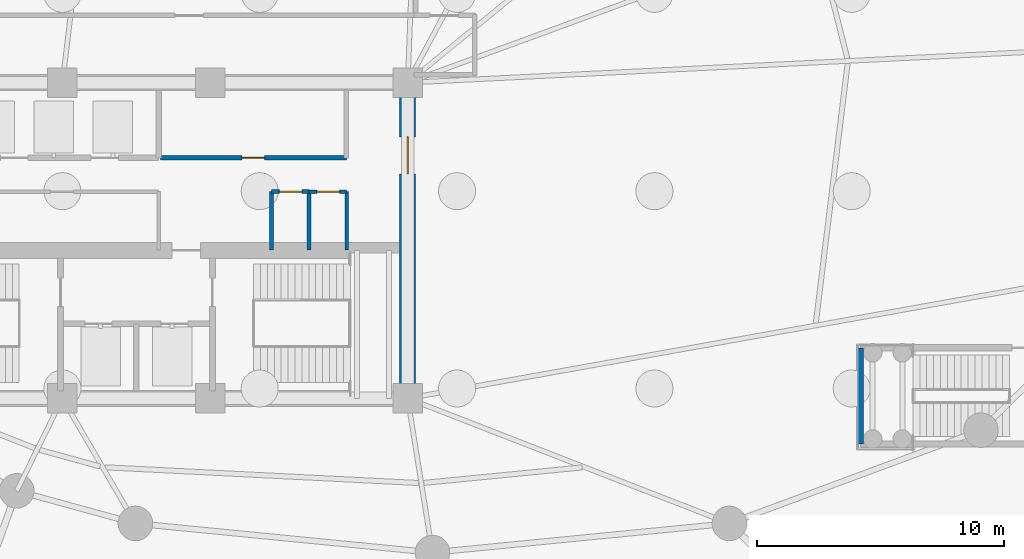
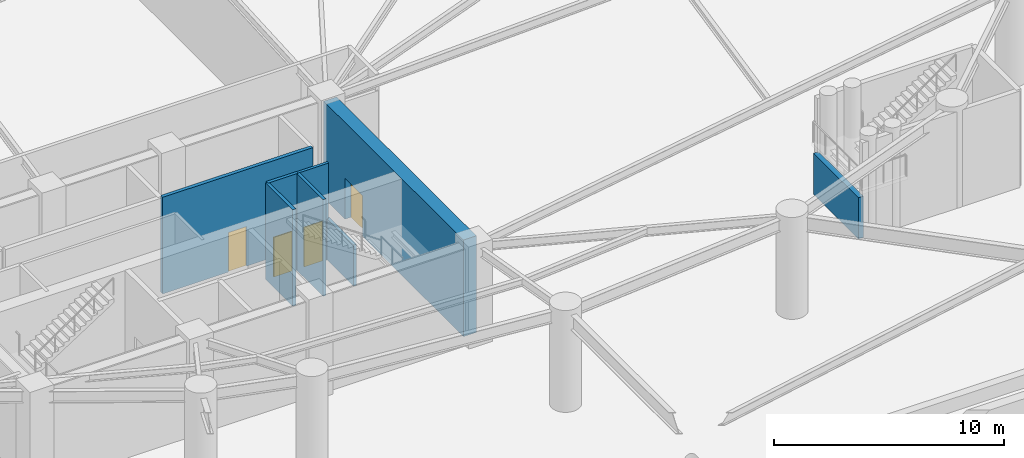
# One storey, part 9 of 22: 8 walls, 4 doors, 4 openings.
"""IFC4 building model written with IfcOpenShell, lengths in metres."""

from ifc_helpers import new_model, si_unit, direction, frame, frame_2d, origin, place, context, subcontext, project, spatial, rectangle, extrude, material, layer, layer_set, type_object, element, fill, save


model = new_model("IFC4")

# Units and contexts
model_context = context("Model", 3, precision=1e-05, world=origin(), true_north=direction((0.0, 1.0)))
body_context = subcontext(model_context, "Body", "Model", "MODEL_VIEW")
ifc_project = project(units=[si_unit("LENGTHUNIT", "METRE"), si_unit("AREAUNIT", "SQUARE_METRE"), si_unit("VOLUMEUNIT", "CUBIC_METRE"), si_unit("PLANEANGLEUNIT", "RADIAN"), si_unit("MASSUNIT", "GRAM", prefix="KILO")], contexts=[model_context])

# Site, building, storey
site_placement = place(None, origin())
site = spatial("IfcSite", under=ifc_project, at=site_placement, CompositionType="ELEMENT")
building_placement = place(site_placement, origin())
building = spatial("IfcBuilding", under=site, at=building_placement, Name="Kazevale Care Tower and Concert Hall", CompositionType="ELEMENT")
storey_placement = place(building_placement, frame((0.0, 0.0, -5.39990234375)))
storey = spatial("IfcBuildingStorey", under=building, at=storey_placement, Name="B1", CompositionType="ELEMENT", Elevation=-5.39990234375)

# Wall
ifc_material_1 = material(Name="Acoustic Gypsum on Steel Stud", Category="steel")
ifc_layer_1 = layer(ifc_material_1, 0.139892578125)
ifc_layer_set_1 = layer_set([ifc_layer_1], Name="Acoustic Gypsum on Steel Stud")
wall_type_1 = type_object("IfcWallType", Name="Acoustic Care & Suite Partition 140", PredefinedType="PARTITIONING", material=ifc_layer_set_1)
wall_1_placement = place(storey_placement, frame((41.52001953125, 29.6201171875, 0.0), z_axis=(0.0, 0.0, 1.0), x_axis=(0.0, 1.0, 0.0)))
element("IfcWall", 1, at=wall_1_placement, inside=storey, type_object=wall_type_1, Name="wall:B1:ka_ee", PredefinedType="PARTITIONING", context=body_context, shape_type="SweptSolid", body=[
    extrude(rectangle(XDim=2.35986328125, YDim=0.139892578125, at=frame_2d((1.179931640625, 0.0))), origin(), (0.0, 0.0, 1.0), 2.18701171875),
])

# Wall, opening, door
wall_2_placement = place(storey_placement, frame((40.0, 31.97998046875, 0.0), z_axis=(0.0, 0.0, 1.0), x_axis=(1.0, 0.0, 0.0)))
wall_2 = element("IfcWall", 2, at=wall_2_placement, inside=storey, type_object=wall_type_1, Name="wall:B1:ka_en2", PredefinedType="PARTITIONING", context=body_context, shape_type="SweptSolid", body=[
    extrude(rectangle(XDim=1.52001953125, YDim=0.139892578125, at=frame_2d((0.760009765625, 0.0))), origin(), (0.0, 0.0, 1.0), 5.119873046875),
])
opening_1_placement = place(wall_2_placement, frame((0.320068359375, 0.0, 0.0)))
opening_1 = element("IfcOpeningElement", 3, at=opening_1_placement, cuts=wall_2, Name="Opening ID-900", PredefinedType="OPENING", context=body_context, shape_type="SweptSolid", body=[
    extrude(rectangle(XDim=0.919921875, YDim=2.10009765625, at=frame_2d((0.4599609375, 1.050048828125))), frame((0.0, 0.079833984375, 0.0), z_axis=(0.0, -1.0, 0.0), x_axis=(1.0, 0.0, 0.0)), (0.0, 0.0, 1.0), 0.159912109375),
])
ifc_material_2 = material(Name="Oak Timber Fire Leaf", Category="wood")
door_type_1 = type_object("IfcDoorType", Name="Bathroom & Service Door 920x2100", OperationType="NOTDEFINED", PredefinedType="DOOR", material=ifc_material_2)
door_1_placement = place(opening_1_placement, origin())
door_1 = element("IfcDoor", 4, at=door_1_placement, inside=storey, type_object=door_type_1, Name="door:B1:d_kae2", OperationType="SINGLE_SWING_RIGHT", OverallHeight=2.10009765625, OverallWidth=0.919921875, PredefinedType="DOOR", context=body_context, shape_type="SweptSolid", body=[
    extrude(rectangle(XDim=0.919921875, YDim=2.10009765625, at=frame_2d((0.4599609375, 1.050048828125))), frame((0.0, 0.02490234375, 0.0), z_axis=(0.0, -1.0, 0.0), x_axis=(1.0, 0.0, 0.0)), (0.0, 0.0, 1.0), 0.050048828125),
])
fill(opening_1, door_1)

ifc_material_3 = material(Name="Concrete C70", Category="concrete")
ifc_layer_2 = layer(ifc_material_3, 0.64990234375)
ifc_layer_set_2 = layer_set([ifc_layer_2], Name="Concrete C70")
wall_type_2 = type_object("IfcWallType", Name="Core Shear Wall 650 C70", PredefinedType="SHEAR", material=ifc_layer_set_2)
wall_3_placement = place(storey_placement, frame((44.0, 23.925048828125, 0.0), z_axis=(0.0, 0.0, 1.0), x_axis=(0.0, 1.0, 0.0)))
wall_3 = element("IfcWall", 5, at=wall_3_placement, inside=storey, type_object=wall_type_2, Name="wall:B1:core:E", PredefinedType="SHEAR", context=body_context, shape_type="SweptSolid", body=[
    extrude(rectangle(XDim=12.14990234375, YDim=0.64990234375, at=frame_2d((6.074951171875, 0.0))), origin(), (0.0, 0.0, 1.0), 5.119873046875),
])
opening_2_placement = place(wall_3_placement, frame((8.77490234375, 0.0, 0.0)))
opening_2 = element("IfcOpeningElement", 6, at=opening_2_placement, cuts=wall_3, Name="Opening FD-60D", PredefinedType="OPENING", context=body_context, shape_type="SweptSolid", body=[
    extrude(rectangle(XDim=1.5, YDim=2.14990234375, at=frame_2d((0.75, 1.074951171875))), frame((0.0, 0.3349609375, 0.0), z_axis=(0.0, -1.0, 0.0), x_axis=(1.0, 0.0, 0.0)), (0.0, 0.0, 1.0), 0.669921875),
])
door_type_2 = type_object("IfcDoorType", Name="Double Lobby & Auditorium Fire Door 1500x2150", OperationType="NOTDEFINED", PredefinedType="DOOR", material=ifc_material_2)
door_2_placement = place(opening_2_placement, origin())
door_2 = element("IfcDoor", 7, at=door_2_placement, inside=storey, type_object=door_type_2, Name="door:B1:core_east_out", OperationType="DOUBLE_DOOR_SINGLE_SWING", OverallHeight=2.14990234375, OverallWidth=1.5, PredefinedType="DOOR", context=body_context, shape_type="SweptSolid", body=[
    extrude(rectangle(XDim=1.5, YDim=2.14990234375, at=frame_2d((0.75, 1.074951171875))), frame((0.0, 0.02490234375, 0.0), z_axis=(0.0, -1.0, 0.0), x_axis=(1.0, 0.0, 0.0)), (0.0, 0.0, 1.0), 0.050048828125),
])
fill(opening_2, door_2)

ifc_material_4 = material(Name="Concrete C40 and Acoustic Gypsum", Category="concrete")
ifc_layer_3 = layer(ifc_material_4, 0.179931640625)
ifc_layer_set_3 = layer_set([ifc_layer_3], Name="Concrete C40 and Acoustic Gypsum")
wall_type_3 = type_object("IfcWallType", Name="Fire-Rated Corridor & Party Wall 180", PredefinedType="PARTITIONING", material=ifc_layer_set_3)
wall_4_placement = place(storey_placement, frame((33.97998046875, 33.35009765625, 0.0), z_axis=(0.0, 0.0, 1.0), x_axis=(1.0, 0.0, 0.0)))
wall_4 = element("IfcWall", 8, at=wall_4_placement, inside=storey, type_object=wall_type_3, Name="wall:B1:c_pma_s", PredefinedType="PARTITIONING", context=body_context, shape_type="SweptSolid", body=[
    extrude(rectangle(XDim=7.5400390625, YDim=0.179931640625, at=frame_2d((3.77001953125, 0.0))), origin(), (0.0, 0.0, 1.0), 5.119873046875),
])
opening_3_placement = place(wall_4_placement, frame((3.294921875, 0.0, 0.0)))
opening_3 = element("IfcOpeningElement", 9, at=opening_3_placement, cuts=wall_4, Name="Opening ID-900", PredefinedType="OPENING", context=body_context, shape_type="SweptSolid", body=[
    extrude(rectangle(XDim=0.919921875, YDim=2.10009765625, at=frame_2d((0.4599609375, 1.050048828125))), frame((0.0, 0.099853515625, 0.0), z_axis=(0.0, -1.0, 0.0), x_axis=(1.0, 0.0, 0.0)), (0.0, 0.0, 1.0), 0.199951171875),
])
door_3_placement = place(opening_3_placement, origin())
door_3 = element("IfcDoor", 10, at=door_3_placement, inside=storey, type_object=door_type_1, Name="door:B1:d_pma", OperationType="SINGLE_SWING_LEFT", OverallHeight=2.10009765625, OverallWidth=0.919921875, PredefinedType="DOOR", context=body_context, shape_type="SweptSolid", body=[
    extrude(rectangle(XDim=0.919921875, YDim=2.10009765625, at=frame_2d((0.4599609375, 1.050048828125))), frame((0.0, 0.02490234375, 0.0), z_axis=(0.0, -1.0, 0.0), x_axis=(1.0, 0.0, 0.0)), (0.0, 0.0, 1.0), 0.050048828125),
])
fill(opening_3, door_3)

# Walls
ifc_layer_4 = layer(ifc_material_1, 0.159912109375)
ifc_layer_set_4 = layer_set([ifc_layer_4], Name="Acoustic Gypsum on Steel Stud")
wall_type_4 = type_object("IfcWallType", Name="Moisture-Resistant Bathroom Plumbing Wall 160", PredefinedType="PLUMBINGWALL", material=ifc_layer_set_4)
for number, where, z_axis, x_axis, name in (
    (11, (38.47998046875, 29.6201171875, 0.0), (0.0, 0.0, 1.0), (0.0, 1.0, 0.0), "wall:B1:ka_ew"),
    (12, (40.0, 29.6201171875, 0.0), (0.0, 0.0, 1.0), (0.0, 1.0, 0.0), "wall:B1:ka_em"),
):
    element("IfcWall", number, at=place(storey_placement, frame(where, z_axis=z_axis, x_axis=x_axis)), inside=storey, type_object=wall_type_4, Name=name, PredefinedType="PLUMBINGWALL", context=body_context, shape_type="SweptSolid", body=[
        extrude(rectangle(XDim=2.35986328125, YDim=0.159912109375, at=frame_2d((1.179931640625, 0.0))), origin(), (0.0, 0.0, 1.0), 5.119873046875),
    ])

# Wall, opening, door
wall_5_placement = place(storey_placement, frame((38.47998046875, 31.97998046875, 0.0), z_axis=(0.0, 0.0, 1.0), x_axis=(1.0, 0.0, 0.0)))
wall_5 = element("IfcWall", 13, at=wall_5_placement, inside=storey, type_object=wall_type_4, Name="wall:B1:ka_en1", PredefinedType="PLUMBINGWALL", context=body_context, shape_type="SweptSolid", body=[
    extrude(rectangle(XDim=1.52001953125, YDim=0.159912109375, at=frame_2d((0.760009765625, 0.0))), origin(), (0.0, 0.0, 1.0), 5.119873046875),
])
opening_4_placement = place(wall_5_placement, frame((0.320068359375, 0.0, 0.0)))
opening_4 = element("IfcOpeningElement", 14, at=opening_4_placement, cuts=wall_5, Name="Opening ID-900", PredefinedType="OPENING", context=body_context, shape_type="SweptSolid", body=[
    extrude(rectangle(XDim=0.919921875, YDim=2.10009765625, at=frame_2d((0.4599609375, 1.050048828125))), frame((0.0, 0.08984375, 0.0), z_axis=(0.0, -1.0, 0.0), x_axis=(1.0, 0.0, 0.0)), (0.0, 0.0, 1.0), 0.179931640625),
])
door_4_placement = place(opening_4_placement, origin())
door_4 = element("IfcDoor", 15, at=door_4_placement, inside=storey, type_object=door_type_1, Name="door:B1:d_kae1", OperationType="SINGLE_SWING_LEFT", OverallHeight=2.10009765625, OverallWidth=0.919921875, PredefinedType="DOOR", context=body_context, shape_type="SweptSolid", body=[
    extrude(rectangle(XDim=0.919921875, YDim=2.10009765625, at=frame_2d((0.4599609375, 1.050048828125))), frame((0.0, 0.02490234375, 0.0), z_axis=(0.0, -1.0, 0.0), x_axis=(1.0, 0.0, 0.0)), (0.0, 0.0, 1.0), 0.050048828125),
])
fill(opening_4, door_4)

# Wall
ifc_material_5 = material(Name="Concrete C40", Category="concrete")
ifc_layer_5 = layer(ifc_material_5, 0.25)
ifc_layer_set_5 = layer_set([ifc_layer_5], Name="Concrete C40")
wall_type_5 = type_object("IfcWallType", Name="Pressurized Stair Shaft Wall 250", PredefinedType="SOLIDWALL", material=ifc_layer_set_5)
wall_6_placement = place(storey_placement, frame((62.35009765625, 21.75, 0.0), z_axis=(0.0, 0.0, 1.0), x_axis=(0.0, 1.0, 0.0)))
element("IfcWall", 16, at=wall_6_placement, inside=storey, type_object=wall_type_5, Name="wall:B1:b1_st3_w", PredefinedType="SOLIDWALL", context=body_context, shape_type="SweptSolid", body=[
    extrude(rectangle(XDim=3.89990234375, YDim=0.25, at=frame_2d((1.949951171875, 0.0))), origin(), (0.0, 0.0, 1.0), 2.18701171875),
])

save(model, "model.ifc")
